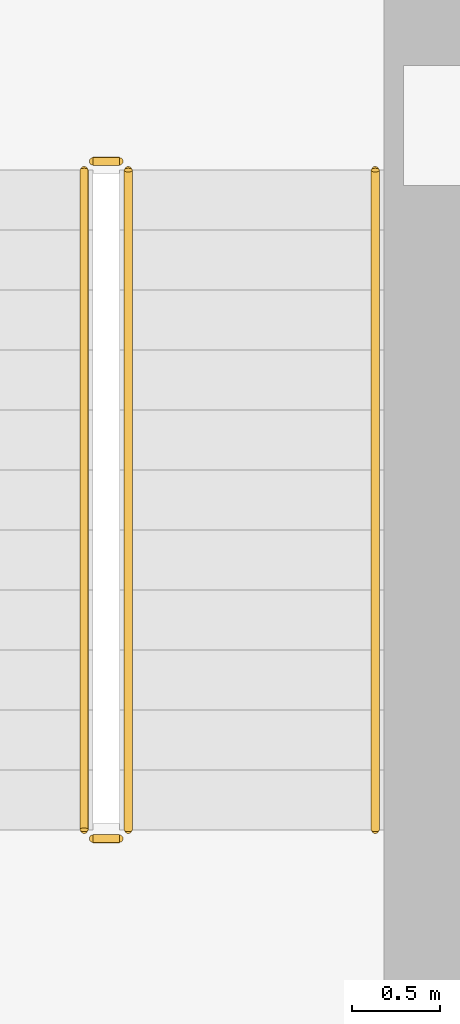
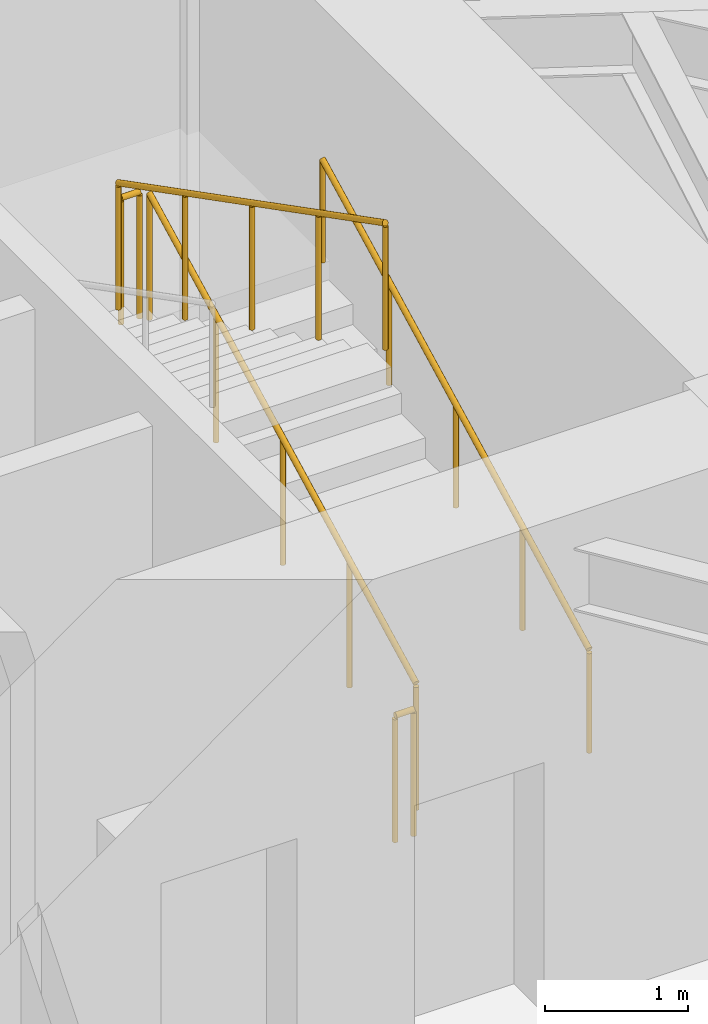
# One storey, part 12 of 14: 5 railings.
"""IFC4 building model written with IfcOpenShell, lengths in metres."""

import ifcopenshell
import ifcopenshell.guid

model = None  # the IFC model being written
_history = None  # IfcOwnerHistory: only IFC2X3 demands one
_inside = {}  # id of a spatial element -> (the spatial element, [elements in it])
_under = {}  # id of a project, library or spatial element -> (it, [spatial elements below it])
_declared = {}  # id of a project -> (the project, [libraries it declares])
_typed = {}  # id of a type object -> (the type object, [elements of that type])
_made_of = {}  # id of a material, layer set ... -> (it, [elements and type objects made of it])


def new_model(schema):
    """Start an empty IFC model of exactly this schema.

    Asked for "IFC4X3", IfcOpenShell would pick the latest addendum, in which some entities
    have other attributes; the version numbers below select the first issue.
    IFC2X3 requires an IfcOwnerHistory on every rooted entity: one is made here for all.
    """
    global model, _history
    if schema == "IFC4X3":
        model = ifcopenshell.file(schema_version=(4, 3, 0, 0))
    else:
        model = ifcopenshell.file(schema=schema)
    _inside.clear()
    _under.clear()
    _declared.clear()
    _typed.clear()
    _made_of.clear()
    _history = None
    if model.schema == "IFC2X3":
        org = make("IfcOrganization", Name="unknown")
        user = make(
            "IfcPersonAndOrganization",
            ThePerson=make("IfcPerson", FamilyName="unknown"),
            TheOrganization=org,
        )
        app = make(
            "IfcApplication",
            ApplicationDeveloper=org,
            Version="unknown",
            ApplicationFullName="unknown",
            ApplicationIdentifier="unknown",
        )
        _history = make(
            "IfcOwnerHistory",
            OwningUser=user,
            OwningApplication=app,
            ChangeAction="ADDED",
            CreationDate=0,
        )
    return model


def make(cls, **values):
    """One entity of the class cls with the attributes given. An attribute that is None is left unset."""
    return model.create_entity(
        cls, **{name: value for name, value in values.items() if value is not None}
    )


def rooted(cls, **values):
    """An entity with a GlobalId (a new one), such as an element, a storey or a relation."""
    return make(cls, GlobalId=ifcopenshell.guid.new(), OwnerHistory=_history, **values)


def si_unit(unit_type, name, prefix=None):
    """IfcSIUnit, for example si_unit("LENGTHUNIT", "METRE", prefix="MILLI")."""
    return make("IfcSIUnit", UnitType=unit_type, Prefix=prefix, Name=name)


def assignment(units):
    """IfcUnitAssignment: the units of a project."""
    return None if units is None else make("IfcUnitAssignment", Units=units)


def point(xyz):
    """IfcCartesianPoint."""
    return None if xyz is None else make("IfcCartesianPoint", Coordinates=xyz)


def direction(xyz):
    """IfcDirection."""
    return None if xyz is None else make("IfcDirection", DirectionRatios=xyz)


def frame(location, z_axis=None, x_axis=None):
    """IfcAxis2Placement3D, a coordinate frame: its origin and axes. An axis left out is left unset."""
    return make(
        "IfcAxis2Placement3D",
        Location=point(location),
        Axis=direction(z_axis),
        RefDirection=direction(x_axis),
    )


def frame_2d(location, x_axis=None):
    """IfcAxis2Placement2D, a coordinate frame in the plane: its origin and x axis."""
    return make(
        "IfcAxis2Placement2D", Location=point(location), RefDirection=direction(x_axis)
    )


def origin():
    """The frame at (0, 0, 0) with its axes left unset."""
    return frame((0.0, 0.0, 0.0))


def origin_2d():
    """The frame at (0, 0) in the plane with its x axis left unset."""
    return frame_2d((0.0, 0.0))


def place(relative_to, where):
    """IfcLocalPlacement: puts the frame where relative to a parent placement (None: the world)."""
    return make(
        "IfcLocalPlacement", PlacementRelTo=relative_to, RelativePlacement=where
    )


def context(
    kind, dimensions, precision=None, world=None, true_north=None, identifier=None
):
    """IfcGeometricRepresentationContext, for example the 3D "Model" context."""
    return make(
        "IfcGeometricRepresentationContext",
        ContextIdentifier=identifier,
        ContextType=kind,
        CoordinateSpaceDimension=dimensions,
        Precision=precision,
        WorldCoordinateSystem=world,
        TrueNorth=true_north,
    )


def subcontext(parent, identifier, kind, view, scale=None):
    """IfcGeometricRepresentationSubContext, for example "Body" below "Model"."""
    return make(
        "IfcGeometricRepresentationSubContext",
        ContextIdentifier=identifier,
        ContextType=kind,
        ParentContext=parent,
        TargetScale=scale,
        TargetView=view,
    )


def project(units=None, contexts=None):
    """IfcProject with its units and contexts."""
    return rooted(
        "IfcProject",
        Name="project",
        RepresentationContexts=contexts,
        UnitsInContext=assignment(units),
    )


def spatial(cls, under=None, at=None, **own):
    """A site, building, storey or space (cls), placed at a placement, below another one or the project."""
    s = rooted(cls, ObjectPlacement=at, **own)
    if under is not None:
        _under.setdefault(under.id(), (under, []))[1].append(s)
    return s


def profile(cls, at=None, kind="AREA", **sizes):
    """A parametric profile (cls). Its sizes go by their IFC names, for example OverallWidth=200.0."""
    return make(cls, ProfileType=kind, Position=at, **sizes)


def circle(**sizes):
    """IfcCircleProfileDef."""
    return profile("IfcCircleProfileDef", **sizes)


def extrude(swept, where, along, depth):
    """IfcExtrudedAreaSolid: the profile swept, set in the frame where, extruded along a direction by depth."""
    return make(
        "IfcExtrudedAreaSolid",
        SweptArea=swept,
        Position=where,
        ExtrudedDirection=direction(along),
        Depth=depth,
    )


def shape(context_of_items, identifier, shape_type, items):
    """IfcShapeRepresentation: the items that make up one representation, for example the "Body"."""
    return make(
        "IfcShapeRepresentation",
        ContextOfItems=context_of_items,
        RepresentationIdentifier=identifier,
        RepresentationType=shape_type,
        Items=items,
    )


def material(Name=None, Category=None):
    """IfcMaterial."""
    return make("IfcMaterial", Name=Name, Category=Category)


def made_of(thing, what):
    """Note that an element or type object is made of a material, layer set ...; save() writes the relation."""
    if what is not None:
        _made_of.setdefault(what.id(), (what, []))[1].append(thing)
    return thing


def type_object(cls, material=None, **own):
    """A type object (cls), such as IfcWallType, which elements share."""
    return made_of(rooted(cls, **own), material)


def element(
    cls,
    number,
    at=None,
    inside=None,
    cuts=None,
    type_object=None,
    material=None,
    context=None,
    identifier="Body",
    shape_type=None,
    held_by="IfcProductDefinitionShape",
    body=None,
    shapes=None,
    **own,
):
    """One element of the class cls, such as IfcWall. Its Tag is "e" and its number.

    at: its placement. inside: the storey or other place that contains it. cuts: it is an
    opening in that element (IfcRelVoidsElement). A single representation is given by context,
    identifier, shape_type and body (its items); several are given by shapes. held_by: the class
    of the entity that holds the representations. save() writes the other relations.
    """
    e = rooted(cls, Tag="e%d" % number, ObjectPlacement=at, **own)
    if body is not None:
        shapes = [shape(context, identifier, shape_type, body)]
    if shapes is not None:
        e.Representation = make(held_by, Representations=shapes)
    if inside is not None:
        _inside.setdefault(inside.id(), (inside, []))[1].append(e)
    if cuts is not None:
        rooted(
            "IfcRelVoidsElement", RelatingBuildingElement=cuts, RelatedOpeningElement=e
        )
    if type_object is not None:
        _typed.setdefault(type_object.id(), (type_object, []))[1].append(e)
    return made_of(e, material)


def aggregate(whole, parts):
    """IfcRelAggregates: a whole, such as a stair, and the parts it consists of."""
    return rooted("IfcRelAggregates", RelatingObject=whole, RelatedObjects=parts)


def save(model, path):
    """Write the relations noted so far, then the file.

    IfcRelAggregates (storeys below a building ...), IfcRelContainedInSpatialStructure (elements
    in a storey), IfcRelDefinesByType, IfcRelAssociatesMaterial and IfcRelDeclares: one each for
    every whole, place, type object, material and project.
    """
    for whole, parts in _under.values():
        aggregate(whole, parts)
    for where, things in _inside.values():
        rooted(
            "IfcRelContainedInSpatialStructure",
            RelatedElements=things,
            RelatingStructure=where,
        )
    for kind, things in _typed.values():
        rooted("IfcRelDefinesByType", RelatedObjects=things, RelatingType=kind)
    for what, things in _made_of.values():
        rooted("IfcRelAssociatesMaterial", RelatedObjects=things, RelatingMaterial=what)
    for by, libraries in _declared.values():
        rooted("IfcRelDeclares", RelatingContext=by, RelatedDefinitions=libraries)
    model.write(path)


model = new_model("IFC4")

# Units and contexts
model_context = context("Model", 3, precision=1e-05, world=origin(), true_north=direction((0.0, 1.0)))
body_context = subcontext(model_context, "Body", "Model", "MODEL_VIEW")
ifc_project = project(units=[si_unit("LENGTHUNIT", "METRE"), si_unit("AREAUNIT", "SQUARE_METRE"), si_unit("VOLUMEUNIT", "CUBIC_METRE"), si_unit("PLANEANGLEUNIT", "RADIAN"), si_unit("MASSUNIT", "GRAM", prefix="KILO")], contexts=[model_context])

# Site, building, storey
site_placement = place(None, origin())
site = spatial("IfcSite", under=ifc_project, at=site_placement, CompositionType="ELEMENT")
building_placement = place(site_placement, origin())
building = spatial("IfcBuilding", under=site, at=building_placement, Name="Keldmark Tower", CompositionType="ELEMENT")
storey_placement = place(building_placement, frame((0.0, 0.0, 22.800048828125)))
storey = spatial("IfcBuildingStorey", under=building, at=storey_placement, Name="L05", CompositionType="ELEMENT", Elevation=22.800048828125)

# Railings
ifc_material_1 = material(Name="Painted Steel ASTM A500 Grade B", Category="steel")
railing_type_1 = type_object("IfcRailingType", Name="Painted Steel Stair Well Guard 1100 mm", PredefinedType="GUARDRAIL", material=ifc_material_1)
railing_1_placement = place(storey_placement, frame((11.699951171875, 3.35009765625, 0.175048828125)))
element("IfcRailing", 1, at=railing_1_placement, inside=storey, type_object=railing_type_1, Name="L05 ST2 stair guard 1", PredefinedType="GUARDRAIL", context=body_context, shape_type="SweptSolid", body=[
    extrude(circle(Radius=0.02392578125, at=origin_2d()), frame((0.0, 0.0, 1.076171875), z_axis=(0.0, 0.889154217769, 0.457607667138), x_axis=(-1.0, 0.0, 0.0)), (0.0, 0.0, 1.0), 4.206298828125),
    extrude(circle(Radius=0.02099609375, at=origin_2d()), origin(), (0.0, 0.0, 1.0), 1.052001953125),
    extrude(circle(Radius=0.02099609375, at=origin_2d()), frame((0.0, 0.93505859375, 0.481201171875)), (0.0, 0.0, 1.0), 1.052001953125),
    extrude(circle(Radius=0.02099609375, at=origin_2d()), frame((0.0, 1.8701171875, 0.96240234375)), (0.0, 0.0, 1.0), 1.052001953125),
    extrude(circle(Radius=0.02099609375, at=origin_2d()), frame((0.0, 2.804931640625, 1.443603515625)), (0.0, 0.0, 1.0), 1.052001953125),
    extrude(circle(Radius=0.02099609375, at=origin_2d()), frame((0.0, 3.739990234375, 1.9248046875)), (0.0, 0.0, 1.0), 1.052001953125),
])
railing_2_placement = place(storey_placement, frame((11.64990234375, 7.139892578125, 2.099853515625)))
element("IfcRailing", 2, at=railing_2_placement, inside=storey, type_object=railing_type_1, Name="L05 ST2 stair guard 2", PredefinedType="GUARDRAIL", context=body_context, shape_type="SweptSolid", body=[
    extrude(circle(Radius=0.02392578125, at=origin_2d()), frame((0.0, 0.0, 1.076171875), z_axis=(-1.0, 0.0, 0.0), x_axis=(0.0, -1.0, 0.0)), (0.0, 0.0, 1.0), 0.14990234375),
    extrude(circle(Radius=0.02099609375, at=origin_2d()), origin(), (0.0, 0.0, 1.0), 1.052001953125),
    extrude(circle(Radius=0.02099609375, at=origin_2d()), frame((-0.14990234375, 0.0, 0.0)), (0.0, 0.0, 1.0), 1.052001953125),
])
railing_3_placement = place(storey_placement, frame((11.449951171875, 7.090087890625, 2.27490234375)))
element("IfcRailing", 3, at=railing_3_placement, inside=storey, type_object=railing_type_1, Name="L05 ST2 stair guard 3", PredefinedType="GUARDRAIL", context=body_context, shape_type="SweptSolid", body=[
    extrude(circle(Radius=0.02392578125, at=origin_2d()), frame((0.0, 0.0, 1.076171875), z_axis=(0.0, -0.889130600629, 0.457653553493), x_axis=(1.0, 0.0, 0.0)), (0.0, 0.0, 1.0), 4.206298828125),
    extrude(circle(Radius=0.02099609375, at=origin_2d()), origin(), (0.0, 0.0, 1.0), 1.052001953125),
    extrude(circle(Radius=0.02099609375, at=origin_2d()), frame((0.0, -0.93505859375, 0.481201171875)), (0.0, 0.0, 1.0), 1.052001953125),
    extrude(circle(Radius=0.02099609375, at=origin_2d()), frame((0.0, -1.8701171875, 0.96240234375)), (0.0, 0.0, 1.0), 1.052001953125),
    extrude(circle(Radius=0.02099609375, at=origin_2d()), frame((0.0, -2.804931640625, 1.44384765625)), (0.0, 0.0, 1.0), 1.052001953125),
    extrude(circle(Radius=0.02099609375, at=origin_2d()), frame((0.0, -3.739990234375, 1.925048828125)), (0.0, 0.0, 1.0), 1.052001953125),
])
railing_4_placement = place(storey_placement, frame((11.64990234375, 3.300048828125, 0.0)))
element("IfcRailing", 4, at=railing_4_placement, inside=storey, type_object=railing_type_1, Name="L05 ST2 stair guard 4", PredefinedType="GUARDRAIL", context=body_context, shape_type="SweptSolid", body=[
    extrude(circle(Radius=0.02392578125, at=origin_2d()), frame((0.0, 0.0, 1.076171875), z_axis=(-1.0, 0.0, 0.0), x_axis=(0.0, -1.0, 0.0)), (0.0, 0.0, 1.0), 0.14990234375),
    extrude(circle(Radius=0.02099609375, at=origin_2d()), origin(), (0.0, 0.0, 1.0), 1.052001953125),
    extrude(circle(Radius=0.02099609375, at=origin_2d()), frame((-0.14990234375, 0.0, 0.0)), (0.0, 0.0, 1.0), 1.052001953125),
])
ifc_material_2 = material(Name="Stainless Steel AISI 316L", Category="steel")
railing_type_2 = type_object("IfcRailingType", Name="Stainless Steel Stair Handrail 900 mm", PredefinedType="HANDRAIL", material=ifc_material_2)
railing_5_placement = place(storey_placement, frame((13.10009765625, 3.35009765625, 0.175048828125)))
element("IfcRailing", 5, at=railing_5_placement, inside=storey, type_object=railing_type_2, Name="L05 ST2 stair handrail 1", PredefinedType="HANDRAIL", context=body_context, shape_type="SweptSolid", body=[
    extrude(circle(Radius=0.02392578125, at=origin_2d()), frame((0.0, 0.0, 0.8759765625), z_axis=(0.0, 0.889154217769, 0.457607667138), x_axis=(-1.0, 0.0, 0.0)), (0.0, 0.0, 1.0), 4.206298828125),
    extrude(circle(Radius=0.02099609375, at=origin_2d()), origin(), (0.0, 0.0, 1.0), 0.851806640625),
    extrude(circle(Radius=0.02099609375, at=origin_2d()), frame((0.0, 0.93505859375, 0.481201171875)), (0.0, 0.0, 1.0), 0.851806640625),
    extrude(circle(Radius=0.02099609375, at=origin_2d()), frame((0.0, 1.8701171875, 0.96240234375)), (0.0, 0.0, 1.0), 0.851806640625),
    extrude(circle(Radius=0.02099609375, at=origin_2d()), frame((0.0, 2.804931640625, 1.443603515625)), (0.0, 0.0, 1.0), 0.851806640625),
    extrude(circle(Radius=0.02099609375, at=origin_2d()), frame((0.0, 3.739990234375, 1.9248046875)), (0.0, 0.0, 1.0), 0.851806640625),
])

save(model, "model.ifc")
